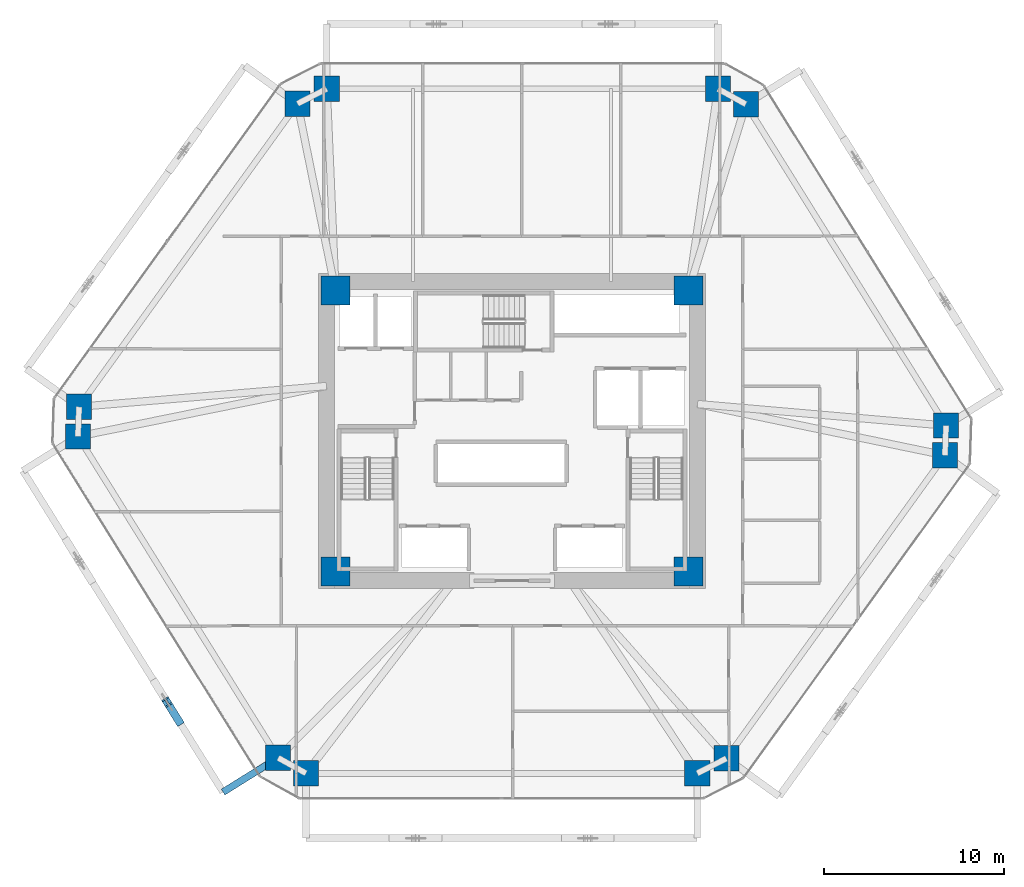
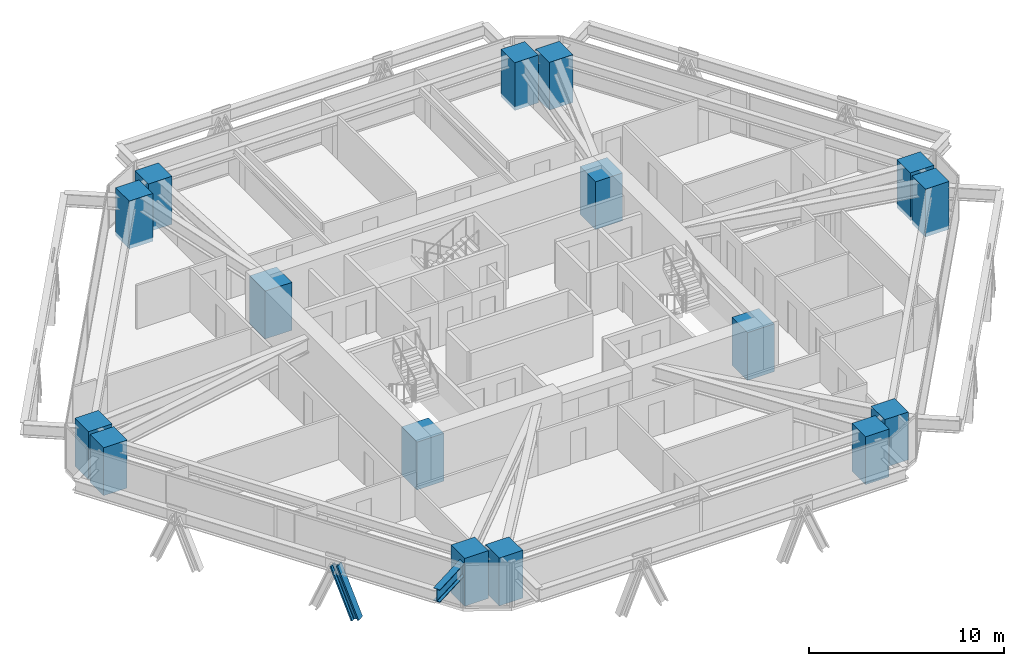
# One storey, part 1 of 18: 16 columns, 1 beam, 1 member.
"""IFC4 building model written with IfcOpenShell, lengths in metres."""

from ifc_helpers import new_model, si_unit, direction, frame, origin, origin_2d, place, context, subcontext, project, spatial, rectangle, i_section, extrude, source, transform, mapped, material, material_profile, profile_set, type_object, type_shapes, element, save


model = new_model("IFC4")

# Units and contexts
model_context = context("Model", 3, precision=1e-05, world=origin(), true_north=direction((0.0, 1.0)))
body_context = subcontext(model_context, "Body", "Model", "MODEL_VIEW")
ifc_project = project(units=[si_unit("LENGTHUNIT", "METRE"), si_unit("AREAUNIT", "SQUARE_METRE"), si_unit("VOLUMEUNIT", "CUBIC_METRE"), si_unit("PLANEANGLEUNIT", "RADIAN"), si_unit("MASSUNIT", "GRAM", prefix="KILO")], contexts=[model_context])

# Site, building, storey
site_placement = place(None, origin())
site = spatial("IfcSite", under=ifc_project, at=site_placement, CompositionType="ELEMENT")
building_placement = place(site_placement, origin())
building = spatial("IfcBuilding", under=site, at=building_placement, Name="Durnholm Broadcast Tower", CompositionType="ELEMENT")
storey_placement = place(building_placement, frame((0.0, 0.0, 78.300048828125)))
storey = spatial("IfcBuildingStorey", under=building, at=storey_placement, Name="L20", CompositionType="ELEMENT", Elevation=78.300048828125)

# Columns
ifc_material_1 = material(Name="Concrete C70/85", Category="concrete")
ifc_material_profile_1 = material_profile(ifc_material_1, rectangle(XDim=1.60009765625, YDim=1.60009765625, at=origin_2d()), Name="RC1600X1600")
ifc_profile_set_1 = profile_set([ifc_material_profile_1], Name="Concrete C70/85")
column_type_1 = type_object("IfcColumnType", Name="COL-CC-1600", PredefinedType="COLUMN", material=ifc_profile_set_1)
shared_shape_1 = source(origin(), body_context, "Body", "SweptSolid", [
    extrude(rectangle(XDim=1.60009765625, YDim=1.60009765625, at=origin_2d()), origin(), (0.0, 0.0, 1.0), 3.0),
])
type_shapes(column_type_1, [shared_shape_1])
for number, where, z_axis, x_axis, name in (
    (1, (-9.800048828125, -7.800048828125, -0.239990234375), (0.0, 0.0, 1.0), (1.0, 0.0, 0.0), "L20 core corner column 1"),
    (2, (9.800048828125, -7.800048828125, -0.239990234375), (0.0, 0.0, 1.0), (1.0, 0.0, 0.0), "L20 core corner column 2"),
    (3, (9.800048828125, 7.800048828125, -0.239990234375), (0.0, 0.0, 1.0), (1.0, 0.0, 0.0), "L20 core corner column 3"),
    (4, (-9.800048828125, 7.800048828125, -0.239990234375), (0.0, 0.0, 1.0), (1.0, 0.0, 0.0), "L20 core corner column 4"),
):
    element("IfcColumn", number, at=place(storey_placement, frame(where, z_axis=z_axis, x_axis=x_axis)), inside=storey, type_object=column_type_1, Name=name, PredefinedType="COLUMN", context=body_context, shape_type="MappedRepresentation", body=[
        mapped(shared_shape_1, transform((0.0, 0.0, 0.0), x_axis=(1.0, 0.0, 0.0), y_axis=(0.0, 1.0, 0.0), z_axis=(0.0, 0.0, 1.0), scale=1.0)),
    ])
ifc_material_profile_2 = material_profile(ifc_material_1, rectangle(XDim=1.39990234375, YDim=1.39990234375, at=origin_2d()), Name="RC1400X1400")
ifc_profile_set_2 = profile_set([ifc_material_profile_2], Name="Concrete C70/85")
column_type_2 = type_object("IfcColumnType", Name="COL-CC-1400", PredefinedType="COLUMN", material=ifc_profile_set_2)
shared_shape_2 = source(origin(), body_context, "Body", "SweptSolid", [
    extrude(rectangle(XDim=1.39990234375, YDim=1.39990234375, at=origin_2d()), origin(), (0.0, 0.0, 1.0), 3.0),
])
type_shapes(column_type_2, [shared_shape_2])
for number, where, z_axis, x_axis, name in (
    (5, (-12.982666015625, -18.138427734375, -0.239990234375), (0.0, 0.0, 1.0), (1.0, 0.0, 0.0), "L20 perimeter hexagonal tube column 01"),
    (6, (-24.0908203125, -0.2998046875, -0.239990234375), (0.0, 0.0, 1.0), (1.0, 0.0, 0.0), "L20 perimeter hexagonal tube column 02"),
    (7, (-24.034912109375, 1.347412109375, -0.239990234375), (0.0, 0.0, 1.0), (1.0, 0.0, 0.0), "L20 perimeter hexagonal tube column 03"),
    (8, (-11.907470703125, 18.16845703125, -0.239990234375), (0.0, 0.0, 1.0), (1.0, 0.0, 0.0), "L20 perimeter hexagonal tube column 04"),
    (9, (-10.28271484375, 19.0, -0.239990234375), (0.0, 0.0, 1.0), (1.0, 0.0, 0.0), "L20 perimeter hexagonal tube column 05"),
    (10, (11.43115234375, 19.0, -0.239990234375), (0.0, 0.0, 1.0), (1.0, 0.0, 0.0), "L20 perimeter hexagonal tube column 06"),
    (11, (12.982666015625, 18.138427734375, -0.239990234375), (0.0, 0.0, 1.0), (1.0, 0.0, 0.0), "L20 perimeter hexagonal tube column 07"),
    (12, (24.0908203125, 0.2998046875, -0.239990234375), (0.0, 0.0, 1.0), (1.0, 0.0, 0.0), "L20 perimeter hexagonal tube column 08"),
    (13, (24.034912109375, -1.347412109375, -0.239990234375), (0.0, 0.0, 1.0), (1.0, 0.0, 0.0), "L20 perimeter hexagonal tube column 09"),
    (14, (11.907470703125, -18.16845703125, -0.239990234375), (0.0, 0.0, 1.0), (1.0, 0.0, 0.0), "L20 perimeter hexagonal tube column 10"),
    (15, (10.28271484375, -19.0, -0.239990234375), (0.0, 0.0, 1.0), (1.0, 0.0, 0.0), "L20 perimeter hexagonal tube column 11"),
    (16, (-11.43115234375, -19.0, -0.239990234375), (0.0, 0.0, 1.0), (1.0, 0.0, 0.0), "L20 perimeter hexagonal tube column 12"),
):
    element("IfcColumn", number, at=place(storey_placement, frame(where, z_axis=z_axis, x_axis=x_axis)), inside=storey, type_object=column_type_2, Name=name, PredefinedType="COLUMN", context=body_context, shape_type="MappedRepresentation", body=[
        mapped(shared_shape_2, transform((0.0, 0.0, 0.0), x_axis=(1.0, 0.0, 0.0), y_axis=(0.0, 1.0, 0.0), z_axis=(0.0, 0.0, 1.0), scale=1.0)),
    ])

# Beam
ifc_material_2 = material(Name="Steel ASTM A992 Grade 50", Category="steel")
ifc_material_profile_3 = material_profile(ifc_material_2, i_section(OverallWidth=0.385009765625, OverallDepth=0.802978515625, WebThickness=0.023681640625, FlangeThickness=0.0419921875, FilletRadius=0.032958984375, at=origin_2d()), Name="W30X261")
ifc_profile_set_3 = profile_set([ifc_material_profile_3], Name="Steel ASTM A992 Grade 50")
beam_type = type_object("IfcBeamType", Name="BM-EXO-TIE", PredefinedType="USERDEFINED", material=ifc_profile_set_3)
shared_shape_3 = source(origin(), body_context, "Body", "SweptSolid", [
    extrude(i_section(OverallWidth=0.385009765625, OverallDepth=0.802978515625, WebThickness=0.023681640625, FlangeThickness=0.0419921875, FilletRadius=0.032958984375, at=origin_2d()), origin(), (0.0, 0.0, 1.0), 3.4560546875),
])
type_shapes(beam_type, [shared_shape_3])
beam_placement = place(storey_placement, frame((-13.10498046875, -18.214599609375, 2.008544921875), z_axis=(-0.848854443891, -0.528626648105, 0.0), x_axis=(0.528626648105, -0.848854443891, 0.0)))
element("IfcBeam", 17, at=beam_placement, inside=storey, type_object=beam_type, Name="L20 exoskeleton stand-off tie bracket F6.2", ObjectType="GIRDER", PredefinedType="USERDEFINED", context=body_context, shape_type="MappedRepresentation", body=[
    mapped(shared_shape_3, transform((0.0, 0.0, 0.0), x_axis=(1.0, 0.0, 0.0), y_axis=(0.0, 1.0, 0.0), z_axis=(0.0, 0.0, 1.0), scale=1.0)),
])

# Member
ifc_material_3 = material(Name="Steel ASTM A913 Grade 65", Category="steel")
ifc_material_profile_4 = material_profile(ifc_material_3, i_section(OverallWidth=0.43212890625, OverallDepth=0.497802734375, WebThickness=0.0556640625, FlangeThickness=0.0888671875, FilletRadius=0.030517578125, at=origin_2d()), Name="W14X500")
ifc_profile_set_4 = profile_set([ifc_material_profile_4], Name="Steel ASTM A913 Grade 65")
member_type = type_object("IfcMemberType", Name="STL-DG-W14X500", PredefinedType="BRACE", material=ifc_profile_set_4)
shared_shape_4 = source(origin(), body_context, "Body", "SweptSolid", [
    extrude(i_section(OverallWidth=0.43212890625, OverallDepth=0.497802734375, WebThickness=0.0556640625, FlangeThickness=0.0888671875, FilletRadius=0.030517578125, at=origin_2d()), origin(), (0.0, 0.0, 1.0), 3.243896484375),
])
type_shapes(member_type, [shared_shape_4])
member_placement = place(storey_placement, frame((-18.496826171875, -16.09375, -0.991455078125), z_axis=(-0.201029867597, 0.322882116058, 0.9248427604), x_axis=(-0.848908635391, -0.528539618911, 0.0)))
element("IfcMember", 18, at=member_placement, inside=storey, type_object=member_type, Name="L20 stand-off diagrid brace F6.D2.2", PredefinedType="BRACE", context=body_context, shape_type="MappedRepresentation", body=[
    mapped(shared_shape_4, transform((0.0, 0.0, 0.0), x_axis=(1.0, 0.0, 0.0), y_axis=(0.0, 1.0, 0.0), z_axis=(0.0, 0.0, 1.0), scale=1.0)),
])

save(model, "model.ifc")
